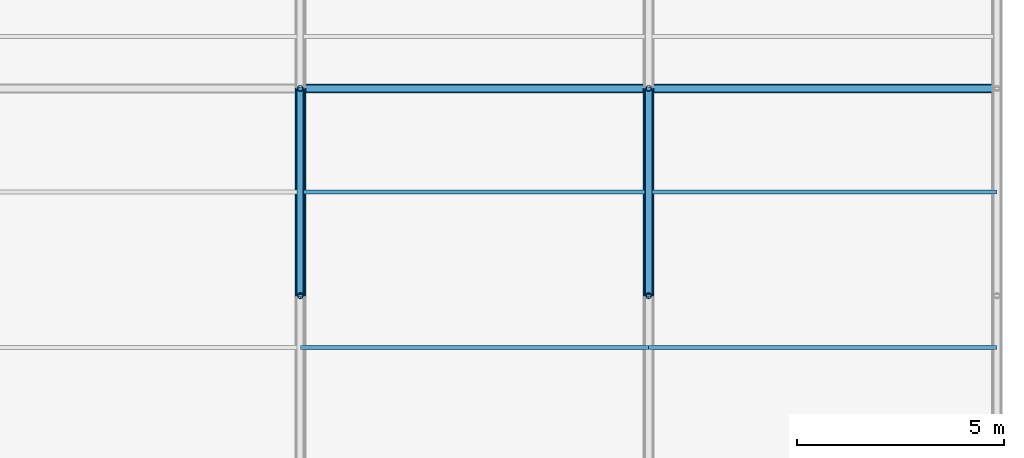
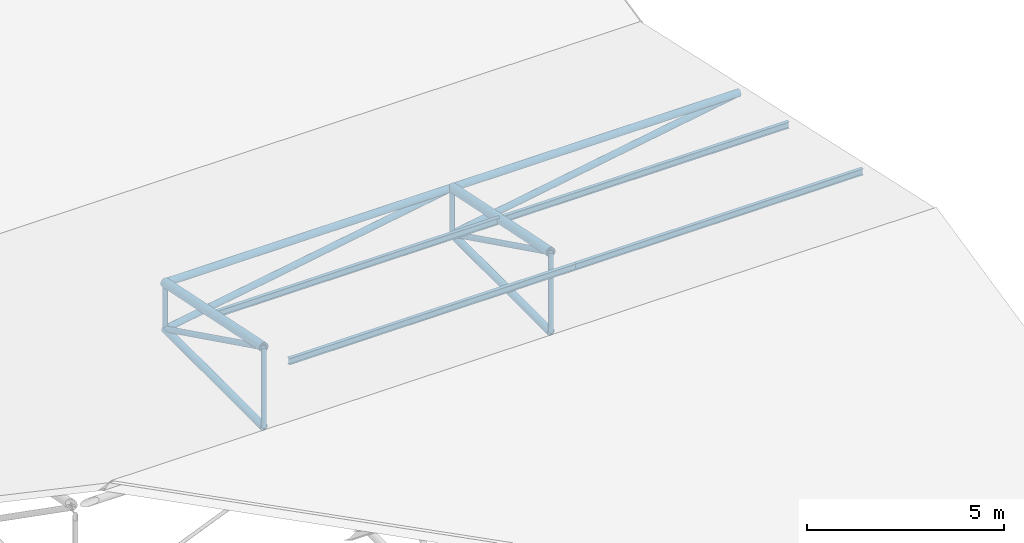
# One storey, part 88 of 194: 14 members, 4 beams.
"""IFC4 building model written with IfcOpenShell, lengths in metres."""

import ifcopenshell
import ifcopenshell.guid

model = None  # the IFC model being written
_history = None  # IfcOwnerHistory: only IFC2X3 demands one
_inside = {}  # id of a spatial element -> (the spatial element, [elements in it])
_under = {}  # id of a project, library or spatial element -> (it, [spatial elements below it])
_declared = {}  # id of a project -> (the project, [libraries it declares])
_typed = {}  # id of a type object -> (the type object, [elements of that type])
_made_of = {}  # id of a material, layer set ... -> (it, [elements and type objects made of it])


def new_model(schema):
    """Start an empty IFC model of exactly this schema.

    Asked for "IFC4X3", IfcOpenShell would pick the latest addendum, in which some entities
    have other attributes; the version numbers below select the first issue.
    IFC2X3 requires an IfcOwnerHistory on every rooted entity: one is made here for all.
    """
    global model, _history
    if schema == "IFC4X3":
        model = ifcopenshell.file(schema_version=(4, 3, 0, 0))
    else:
        model = ifcopenshell.file(schema=schema)
    _inside.clear()
    _under.clear()
    _declared.clear()
    _typed.clear()
    _made_of.clear()
    _history = None
    if model.schema == "IFC2X3":
        org = make("IfcOrganization", Name="unknown")
        user = make(
            "IfcPersonAndOrganization",
            ThePerson=make("IfcPerson", FamilyName="unknown"),
            TheOrganization=org,
        )
        app = make(
            "IfcApplication",
            ApplicationDeveloper=org,
            Version="unknown",
            ApplicationFullName="unknown",
            ApplicationIdentifier="unknown",
        )
        _history = make(
            "IfcOwnerHistory",
            OwningUser=user,
            OwningApplication=app,
            ChangeAction="ADDED",
            CreationDate=0,
        )
    return model


def make(cls, **values):
    """One entity of the class cls with the attributes given. An attribute that is None is left unset."""
    return model.create_entity(
        cls, **{name: value for name, value in values.items() if value is not None}
    )


def rooted(cls, **values):
    """An entity with a GlobalId (a new one), such as an element, a storey or a relation."""
    return make(cls, GlobalId=ifcopenshell.guid.new(), OwnerHistory=_history, **values)


def si_unit(unit_type, name, prefix=None):
    """IfcSIUnit, for example si_unit("LENGTHUNIT", "METRE", prefix="MILLI")."""
    return make("IfcSIUnit", UnitType=unit_type, Prefix=prefix, Name=name)


def assignment(units):
    """IfcUnitAssignment: the units of a project."""
    return None if units is None else make("IfcUnitAssignment", Units=units)


def point(xyz):
    """IfcCartesianPoint."""
    return None if xyz is None else make("IfcCartesianPoint", Coordinates=xyz)


def direction(xyz):
    """IfcDirection."""
    return None if xyz is None else make("IfcDirection", DirectionRatios=xyz)


def frame(location, z_axis=None, x_axis=None):
    """IfcAxis2Placement3D, a coordinate frame: its origin and axes. An axis left out is left unset."""
    return make(
        "IfcAxis2Placement3D",
        Location=point(location),
        Axis=direction(z_axis),
        RefDirection=direction(x_axis),
    )


def frame_2d(location, x_axis=None):
    """IfcAxis2Placement2D, a coordinate frame in the plane: its origin and x axis."""
    return make(
        "IfcAxis2Placement2D", Location=point(location), RefDirection=direction(x_axis)
    )


def origin():
    """The frame at (0, 0, 0) with its axes left unset."""
    return frame((0.0, 0.0, 0.0))


def origin_2d():
    """The frame at (0, 0) in the plane with its x axis left unset."""
    return frame_2d((0.0, 0.0))


def place(relative_to, where):
    """IfcLocalPlacement: puts the frame where relative to a parent placement (None: the world)."""
    return make(
        "IfcLocalPlacement", PlacementRelTo=relative_to, RelativePlacement=where
    )


def context(
    kind, dimensions, precision=None, world=None, true_north=None, identifier=None
):
    """IfcGeometricRepresentationContext, for example the 3D "Model" context."""
    return make(
        "IfcGeometricRepresentationContext",
        ContextIdentifier=identifier,
        ContextType=kind,
        CoordinateSpaceDimension=dimensions,
        Precision=precision,
        WorldCoordinateSystem=world,
        TrueNorth=true_north,
    )


def subcontext(parent, identifier, kind, view, scale=None):
    """IfcGeometricRepresentationSubContext, for example "Body" below "Model"."""
    return make(
        "IfcGeometricRepresentationSubContext",
        ContextIdentifier=identifier,
        ContextType=kind,
        ParentContext=parent,
        TargetScale=scale,
        TargetView=view,
    )


def project(units=None, contexts=None):
    """IfcProject with its units and contexts."""
    return rooted(
        "IfcProject",
        Name="project",
        RepresentationContexts=contexts,
        UnitsInContext=assignment(units),
    )


def spatial(cls, under=None, at=None, **own):
    """A site, building, storey or space (cls), placed at a placement, below another one or the project."""
    s = rooted(cls, ObjectPlacement=at, **own)
    if under is not None:
        _under.setdefault(under.id(), (under, []))[1].append(s)
    return s


def profile(cls, at=None, kind="AREA", **sizes):
    """A parametric profile (cls). Its sizes go by their IFC names, for example OverallWidth=200.0."""
    return make(cls, ProfileType=kind, Position=at, **sizes)


def hollow_circle(**sizes):
    """IfcCircleHollowProfileDef."""
    return profile("IfcCircleHollowProfileDef", **sizes)


def i_section(**sizes):
    """IfcIShapeProfileDef."""
    return profile("IfcIShapeProfileDef", **sizes)


def extrude(swept, where, along, depth):
    """IfcExtrudedAreaSolid: the profile swept, set in the frame where, extruded along a direction by depth."""
    return make(
        "IfcExtrudedAreaSolid",
        SweptArea=swept,
        Position=where,
        ExtrudedDirection=direction(along),
        Depth=depth,
    )


def shape(context_of_items, identifier, shape_type, items):
    """IfcShapeRepresentation: the items that make up one representation, for example the "Body"."""
    return make(
        "IfcShapeRepresentation",
        ContextOfItems=context_of_items,
        RepresentationIdentifier=identifier,
        RepresentationType=shape_type,
        Items=items,
    )


def material(Name=None, Category=None):
    """IfcMaterial."""
    return make("IfcMaterial", Name=Name, Category=Category)


def material_profile(
    of_material, cross_section, Name=None, Category=None, Priority=None
):
    """IfcMaterialProfile: a cross section and its material."""
    return make(
        "IfcMaterialProfile",
        Name=Name,
        Material=of_material,
        Profile=cross_section,
        Priority=Priority,
        Category=Category,
    )


def profile_set(profiles, Name=None, composite=None):
    """IfcMaterialProfileSet."""
    return make(
        "IfcMaterialProfileSet",
        Name=Name,
        MaterialProfiles=profiles,
        CompositeProfile=composite,
    )


def made_of(thing, what):
    """Note that an element or type object is made of a material, layer set ...; save() writes the relation."""
    if what is not None:
        _made_of.setdefault(what.id(), (what, []))[1].append(thing)
    return thing


def type_object(cls, material=None, **own):
    """A type object (cls), such as IfcWallType, which elements share."""
    return made_of(rooted(cls, **own), material)


def element(
    cls,
    number,
    at=None,
    inside=None,
    cuts=None,
    type_object=None,
    material=None,
    context=None,
    identifier="Body",
    shape_type=None,
    held_by="IfcProductDefinitionShape",
    body=None,
    shapes=None,
    **own,
):
    """One element of the class cls, such as IfcWall. Its Tag is "e" and its number.

    at: its placement. inside: the storey or other place that contains it. cuts: it is an
    opening in that element (IfcRelVoidsElement). A single representation is given by context,
    identifier, shape_type and body (its items); several are given by shapes. held_by: the class
    of the entity that holds the representations. save() writes the other relations.
    """
    e = rooted(cls, Tag="e%d" % number, ObjectPlacement=at, **own)
    if body is not None:
        shapes = [shape(context, identifier, shape_type, body)]
    if shapes is not None:
        e.Representation = make(held_by, Representations=shapes)
    if inside is not None:
        _inside.setdefault(inside.id(), (inside, []))[1].append(e)
    if cuts is not None:
        rooted(
            "IfcRelVoidsElement", RelatingBuildingElement=cuts, RelatedOpeningElement=e
        )
    if type_object is not None:
        _typed.setdefault(type_object.id(), (type_object, []))[1].append(e)
    return made_of(e, material)


def aggregate(whole, parts):
    """IfcRelAggregates: a whole, such as a stair, and the parts it consists of."""
    return rooted("IfcRelAggregates", RelatingObject=whole, RelatedObjects=parts)


def save(model, path):
    """Write the relations noted so far, then the file.

    IfcRelAggregates (storeys below a building ...), IfcRelContainedInSpatialStructure (elements
    in a storey), IfcRelDefinesByType, IfcRelAssociatesMaterial and IfcRelDeclares: one each for
    every whole, place, type object, material and project.
    """
    for whole, parts in _under.values():
        aggregate(whole, parts)
    for where, things in _inside.values():
        rooted(
            "IfcRelContainedInSpatialStructure",
            RelatedElements=things,
            RelatingStructure=where,
        )
    for kind, things in _typed.values():
        rooted("IfcRelDefinesByType", RelatedObjects=things, RelatingType=kind)
    for what, things in _made_of.values():
        rooted("IfcRelAssociatesMaterial", RelatedObjects=things, RelatingMaterial=what)
    for by, libraries in _declared.values():
        rooted("IfcRelDeclares", RelatingContext=by, RelatedDefinitions=libraries)
    model.write(path)


model = new_model("IFC4")

# Units and contexts
model_context = context("Model", 3, precision=1e-05, world=origin(), true_north=direction((0.0, 1.0)))
body_context = subcontext(model_context, "Body", "Model", "MODEL_VIEW")
ifc_project = project(units=[si_unit("LENGTHUNIT", "METRE"), si_unit("AREAUNIT", "SQUARE_METRE"), si_unit("VOLUMEUNIT", "CUBIC_METRE"), si_unit("PLANEANGLEUNIT", "RADIAN"), si_unit("MASSUNIT", "GRAM", prefix="KILO")], contexts=[model_context])

# Site, building, storey
site_placement = place(None, origin())
site = spatial("IfcSite", under=ifc_project, at=site_placement, CompositionType="ELEMENT")
building_placement = place(site_placement, origin())
building = spatial("IfcBuilding", under=site, at=building_placement, Name="Kazenagashi Tramway Depot", CompositionType="ELEMENT")
storey_placement = place(building_placement, frame((0.0, 0.0, 23.7)))
storey = spatial("IfcBuildingStorey", under=building, at=storey_placement, Name="ROOF", CompositionType="ELEMENT", Elevation=23.7)

# Beams
ifc_material_1 = material(Name="Steel SN400B", Category="steel")
ifc_material_profile_1 = material_profile(ifc_material_1, i_section(OverallWidth=0.1, OverallDepth=0.2, WebThickness=0.0055, FlangeThickness=0.008, at=origin_2d()), Name="H-200x100x5.5x8")
ifc_profile_set_1 = profile_set([ifc_material_profile_1], Name="Steel SN400B")
beam_type = type_object("IfcBeamType", Name="PR-01", PredefinedType="USERDEFINED", material=ifc_profile_set_1)
for number, where, z_axis, x_axis, name in (
    (1, (179.2, 88.75, -11.305), (1.0, 0.0, 0.0), (0.0, 1.0, 0.0), "Beam PR-01 BM-2088"),
    (2, (187.6, 88.75, -11.305), (1.0, 0.0, 0.0), (0.0, 1.0, 0.0), "Beam PR-01 BM-2089"),
    (3, (179.2, 92.5, -12.13), (1.0, 0.0, 0.0), (0.0, 1.0, 0.0), "Beam PR-01 BM-2106"),
    (4, (187.6, 92.5, -12.13), (1.0, 0.0, 0.0), (0.0, 1.0, 0.0), "Beam PR-01 BM-2107"),
):
    element("IfcBeam", number, at=place(storey_placement, frame(where, z_axis=z_axis, x_axis=x_axis)), inside=storey, type_object=beam_type, Name=name, ObjectType="PURLIN", PredefinedType="USERDEFINED", context=body_context, shape_type="SweptSolid", body=[
        extrude(i_section(OverallWidth=0.1, OverallDepth=0.2, WebThickness=0.0055, FlangeThickness=0.008, at=origin_2d()), origin(), (0.0, 0.0, 1.0), 8.4),
    ])

# Members
ifc_material_2 = material(Name="Steel STK490", Category="steel")
ifc_material_profile_2 = material_profile(ifc_material_2, hollow_circle(Radius=0.1337, WallThickness=0.0093, at=origin_2d()), Name="CHS-267.4x9.3")
ifc_profile_set_2 = profile_set([ifc_material_profile_2], Name="Steel STK490")
member_type_1 = type_object("IfcMemberType", Name="TC-01", PredefinedType="CHORD", material=ifc_profile_set_2)
for number, where, z_axis, x_axis, name in (
    (5, (179.2, 90.0, -11.633), (0.0, 0.979279174591, -0.202514933305), (-1.0, 0.0, 0.0), "Tubular Space Frame TC-01 MEM-0989"),
    (6, (187.6, 90.0, -11.633), (0.0, 0.979279174591, -0.202514933305), (-1.0, 0.0, 0.0), "Tubular Space Frame TC-01 MEM-1050"),
):
    element("IfcMember", number, at=place(storey_placement, frame(where, z_axis=z_axis, x_axis=x_axis)), inside=storey, type_object=member_type_1, Name=name, PredefinedType="CHORD", context=body_context, shape_type="SweptSolid", body=[
        extrude(hollow_circle(Radius=0.1337, WallThickness=0.0093, at=origin_2d()), origin(), (0.0, 0.0, 1.0), 5.105796),
    ])
ifc_material_profile_3 = material_profile(ifc_material_2, hollow_circle(Radius=0.10815, WallThickness=0.0082, at=origin_2d()), Name="CHS-216.3x8.2")
ifc_profile_set_3 = profile_set([ifc_material_profile_3], Name="Steel STK490")
member_type_2 = type_object("IfcMemberType", Name="TC-02", PredefinedType="CHORD", material=ifc_profile_set_3)
member_1_placement = place(storey_placement, frame((179.2, 90.0, -14.1), z_axis=(0.0, 1.0, 0.0), x_axis=(-1.0, 0.0, 0.0)))
element("IfcMember", 7, at=member_1_placement, inside=storey, type_object=member_type_2, Name="Tubular Space Frame TC-02 MEM-0990", PredefinedType="CHORD", context=body_context, shape_type="SweptSolid", body=[
    extrude(hollow_circle(Radius=0.10815, WallThickness=0.0082, at=origin_2d()), origin(), (0.0, 0.0, 1.0), 5.0),
])
member_2_placement = place(storey_placement, frame((179.2, 95.0, -12.667), z_axis=(1.0, 0.0, 0.0), x_axis=(0.0, 1.0, 0.0)))
element("IfcMember", 8, at=member_2_placement, inside=storey, type_object=member_type_2, Name="Tubular Space Frame TC-02 MEM-1006", PredefinedType="CHORD", context=body_context, shape_type="SweptSolid", body=[
    extrude(hollow_circle(Radius=0.10815, WallThickness=0.0082, at=origin_2d()), origin(), (0.0, 0.0, 1.0), 8.4),
])
member_3_placement = place(storey_placement, frame((187.6, 90.0, -14.1), z_axis=(0.0, 1.0, 0.0), x_axis=(-1.0, 0.0, 0.0)))
element("IfcMember", 9, at=member_3_placement, inside=storey, type_object=member_type_2, Name="Tubular Space Frame TC-02 MEM-1051", PredefinedType="CHORD", context=body_context, shape_type="SweptSolid", body=[
    extrude(hollow_circle(Radius=0.10815, WallThickness=0.0082, at=origin_2d()), origin(), (0.0, 0.0, 1.0), 5.0),
])
member_4_placement = place(storey_placement, frame((187.6, 95.0, -12.667), z_axis=(1.0, 0.0, 0.0), x_axis=(0.0, 1.0, 0.0)))
element("IfcMember", 10, at=member_4_placement, inside=storey, type_object=member_type_2, Name="Tubular Space Frame TC-02 MEM-1067", PredefinedType="CHORD", context=body_context, shape_type="SweptSolid", body=[
    extrude(hollow_circle(Radius=0.10815, WallThickness=0.0082, at=origin_2d()), origin(), (0.0, 0.0, 1.0), 8.4),
])
ifc_material_profile_4 = material_profile(ifc_material_2, hollow_circle(Radius=0.0826, WallThickness=0.0071, at=origin_2d()), Name="CHS-165.2x7.1")
ifc_profile_set_4 = profile_set([ifc_material_profile_4], Name="Steel STK490")
member_type_3 = type_object("IfcMemberType", Name="TS-01", PredefinedType="STRUT", material=ifc_profile_set_4)
for number, where, z_axis, x_axis, name in (
    (11, (179.2, 90.0, -11.633), (0.0, 0.896782162482, -0.442472318969), (-1.0, 0.0, 0.0), "Tubular Space Frame TS-01 MEM-0991"),
    (12, (187.6, 90.0, -11.633), (0.0, 0.896782162482, -0.442472318969), (-1.0, 0.0, 0.0), "Tubular Space Frame TS-01 MEM-1052"),
):
    element("IfcMember", number, at=place(storey_placement, frame(where, z_axis=z_axis, x_axis=x_axis)), inside=storey, type_object=member_type_3, Name=name, PredefinedType="STRUT", context=body_context, shape_type="SweptSolid", body=[
        extrude(hollow_circle(Radius=0.0826, WallThickness=0.0071, at=origin_2d()), origin(), (0.0, 0.0, 1.0), 5.57549),
    ])
ifc_material_profile_5 = material_profile(ifc_material_2, hollow_circle(Radius=0.0699, WallThickness=0.0066, at=origin_2d()), Name="CHS-139.8x6.6")
ifc_profile_set_5 = profile_set([ifc_material_profile_5], Name="Steel STK490")
member_type_4 = type_object("IfcMemberType", Name="TS-02", PredefinedType="STRUT", material=ifc_profile_set_5)
member_5_placement = place(storey_placement, frame((179.2, 90.0, -14.1), z_axis=(0.0, 0.0, 1.0), x_axis=(1.0, 0.0, 0.0)))
element("IfcMember", 13, at=member_5_placement, inside=storey, type_object=member_type_4, Name="Tubular Space Frame TS-02 MEM-0999", PredefinedType="STRUT", context=body_context, shape_type="SweptSolid", body=[
    extrude(hollow_circle(Radius=0.0699, WallThickness=0.0066, at=origin_2d()), origin(), (0.0, 0.0, 1.0), 2.467),
])
member_6_placement = place(storey_placement, frame((179.2, 95.0, -14.1), z_axis=(0.0, 0.0, 1.0), x_axis=(1.0, 0.0, 0.0)))
element("IfcMember", 14, at=member_6_placement, inside=storey, type_object=member_type_4, Name="Tubular Space Frame TS-02 MEM-1000", PredefinedType="STRUT", context=body_context, shape_type="SweptSolid", body=[
    extrude(hollow_circle(Radius=0.0699, WallThickness=0.0066, at=origin_2d()), origin(), (0.0, 0.0, 1.0), 1.433),
])
member_7_placement = place(storey_placement, frame((187.6, 90.0, -14.1), z_axis=(0.0, 0.0, 1.0), x_axis=(1.0, 0.0, 0.0)))
element("IfcMember", 15, at=member_7_placement, inside=storey, type_object=member_type_4, Name="Tubular Space Frame TS-02 MEM-1060", PredefinedType="STRUT", context=body_context, shape_type="SweptSolid", body=[
    extrude(hollow_circle(Radius=0.0699, WallThickness=0.0066, at=origin_2d()), origin(), (0.0, 0.0, 1.0), 2.467),
])
member_8_placement = place(storey_placement, frame((187.6, 95.0, -14.1), z_axis=(0.0, 0.0, 1.0), x_axis=(1.0, 0.0, 0.0)))
element("IfcMember", 16, at=member_8_placement, inside=storey, type_object=member_type_4, Name="Tubular Space Frame TS-02 MEM-1061", PredefinedType="STRUT", context=body_context, shape_type="SweptSolid", body=[
    extrude(hollow_circle(Radius=0.0699, WallThickness=0.0066, at=origin_2d()), origin(), (0.0, 0.0, 1.0), 1.433),
])
ifc_material_profile_6 = material_profile(ifc_material_2, hollow_circle(Radius=0.09535, WallThickness=0.007, at=origin_2d()), Name="CHS-190.7x7.0")
ifc_profile_set_6 = profile_set([ifc_material_profile_6], Name="Steel STK490")
member_type_5 = type_object("IfcMemberType", Name="TS-05", PredefinedType="STRUT", material=ifc_profile_set_6)
for number, where, z_axis, x_axis, name in (
    (17, (179.2, 95.0, -14.1), (0.985758734117, 0.0, 0.168165745951), (0.0, 1.0, 0.0), "Tubular Space Frame TS-05 MEM-1007"),
    (18, (187.6, 95.0, -14.1), (0.985758734117, 0.0, 0.168165745951), (0.0, 1.0, 0.0), "Tubular Space Frame TS-05 MEM-1068"),
):
    element("IfcMember", number, at=place(storey_placement, frame(where, z_axis=z_axis, x_axis=x_axis)), inside=storey, type_object=member_type_5, Name=name, PredefinedType="STRUT", context=body_context, shape_type="SweptSolid", body=[
        extrude(hollow_circle(Radius=0.09535, WallThickness=0.007, at=origin_2d()), origin(), (0.0, 0.0, 1.0), 8.521355),
    ])

save(model, "model.ifc")
